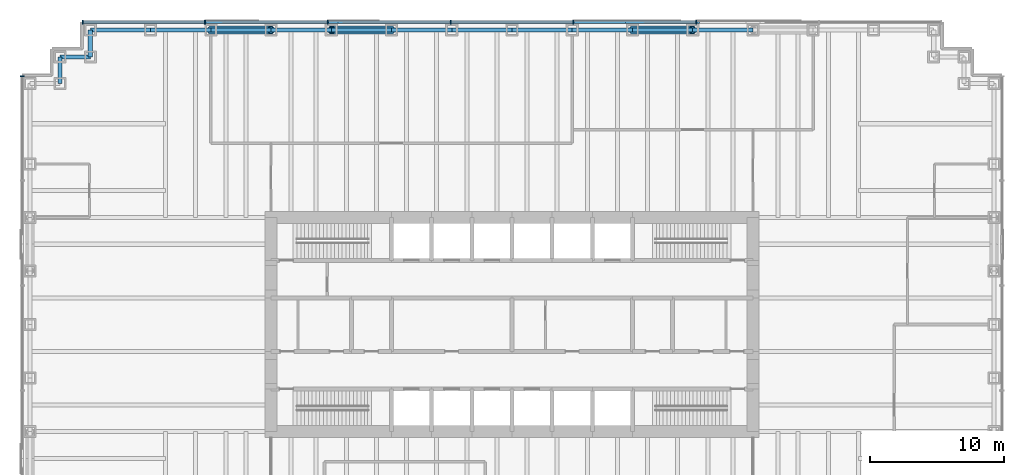
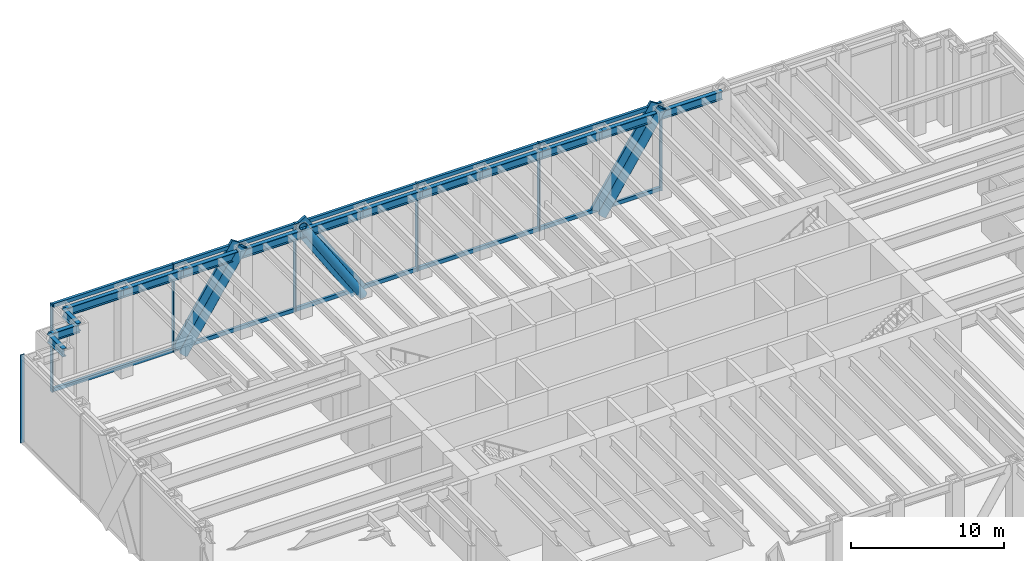
# One storey, part 9 of 17: 23 members, 14 beams, 2 elements without a shape of their own.
"""IFC4 building model written with IfcOpenShell, lengths in metres."""

from ifc_helpers import new_model, si_unit, direction, frame, origin, origin_2d, place, context, subcontext, project, spatial, rectangle, hollow_circle, i_section, extrude, material, material_profile, profile_set, type_object, element, aggregate, save


model = new_model("IFC4")

# Units and contexts
model_context = context("Model", 3, precision=1e-05, world=origin(), true_north=direction((0.0, 1.0)))
body_context = subcontext(model_context, "Body", "Model", "MODEL_VIEW")
ifc_project = project(units=[si_unit("LENGTHUNIT", "METRE"), si_unit("AREAUNIT", "SQUARE_METRE"), si_unit("VOLUMEUNIT", "CUBIC_METRE"), si_unit("PLANEANGLEUNIT", "RADIAN"), si_unit("MASSUNIT", "GRAM", prefix="KILO")], contexts=[model_context])

# Site, building, storey
site_placement = place(None, origin())
site = spatial("IfcSite", under=ifc_project, at=site_placement, CompositionType="ELEMENT")
building_placement = place(site_placement, origin())
building = spatial("IfcBuilding", under=site, at=building_placement, Name="Rheinbord Bourse Tower", CompositionType="ELEMENT")
storey_placement = place(building_placement, frame((0.0, 0.0, 6.0)))
storey = spatial("IfcBuildingStorey", under=building, at=storey_placement, Name="L01", CompositionType="ELEMENT", Elevation=6.0)

# Curtain wall, members
ifc_material_1 = material(Name="Dark glass and black aluminium", Category="aluminium")
curtain_wall_type = type_object("IfcCurtainWallType", Name="CW4 DARK GLASS CURTAIN WALL", PredefinedType="USERDEFINED", material=ifc_material_1)
curtain_wall_1_placement = place(storey_placement, origin())
curtain_wall_1 = element("IfcCurtainWall", 1, at=curtain_wall_1_placement, inside=storey, type_object=curtain_wall_type, Name="Curtain wall CW4 N L01", ObjectType="UNITISED CURTAIN WALL", PredefinedType="USERDEFINED")
ifc_material_2 = material(Name="Black anodised aluminium", Category="aluminium")
ifc_material_profile_1 = material_profile(ifc_material_2, rectangle(XDim=0.199951171875, YDim=1.2099609375, at=origin_2d()), Name="CW4 DIAGONAL MULLION 1210x200")
ifc_profile_set_1 = profile_set([ifc_material_profile_1], Name="Black anodised aluminium")
member_type_1 = type_object("IfcMemberType", Name="CW4 BLACK DIAGONAL MULLION", PredefinedType="USERDEFINED", material=ifc_profile_set_1)
member_1_placement = place(storey_placement, frame((13.5, 46.60009765625, 0.0), z_axis=(0.540757591313, 0.0, 0.841178475377), x_axis=(0.0, 1.0, 0.0)))
member_1 = element("IfcMember", 2, at=member_1_placement, type_object=member_type_1, Name="CW4 diagonal mullion a", ObjectType="DIAGONAL MULLION", PredefinedType="USERDEFINED", context=body_context, shape_type="SweptSolid", body=[
    extrude(rectangle(XDim=0.199951171875, YDim=1.2099609375, at=origin_2d()), origin(), (0.0, 0.0, 1.0), 8.32177734375),
])
member_2_placement = place(storey_placement, frame((45.0, 46.60009765625, 0.0), z_axis=(0.540757591313, 0.0, 0.841178475377), x_axis=(0.0, 1.0, 0.0)))
member_2 = element("IfcMember", 3, at=member_2_placement, type_object=member_type_1, Name="CW4 diagonal mullion c", ObjectType="DIAGONAL MULLION", PredefinedType="USERDEFINED", context=body_context, shape_type="SweptSolid", body=[
    extrude(rectangle(XDim=0.199951171875, YDim=1.2099609375, at=origin_2d()), origin(), (0.0, 0.0, 1.0), 8.32177734375),
])
member_3_placement = place(storey_placement, frame((27.0, 46.60009765625, 0.0), z_axis=(-0.540757591313, 0.0, 0.841178475377), x_axis=(0.0, -1.0, 0.0)))
member_3 = element("IfcMember", 4, at=member_3_placement, type_object=member_type_1, Name="CW4 diagonal mullion d", ObjectType="DIAGONAL MULLION", PredefinedType="USERDEFINED", context=body_context, shape_type="SweptSolid", body=[
    extrude(rectangle(XDim=0.199951171875, YDim=1.2099609375, at=origin_2d()), origin(), (0.0, 0.0, 1.0), 8.32177734375),
])
ifc_material_3 = material(Name="Black anodised aluminium", Category="aluminium")
ifc_material_profile_2 = material_profile(ifc_material_3, rectangle(XDim=0.300048828125, YDim=0.090087890625, at=origin_2d()), Name="CW4 MULLION 90x300")
ifc_profile_set_2 = profile_set([ifc_material_profile_2], Name="Black anodised aluminium")
member_type_2 = type_object("IfcMemberType", Name="CW4 BLACK MULLION", PredefinedType="MULLION", material=ifc_profile_set_2)
member_4_placement = place(storey_placement, frame((49.757080078125, 46.60009765625, 0.0), z_axis=(0.0, 0.0, 1.0), x_axis=(0.0, -1.0, 0.0)))
member_4 = element("IfcMember", 5, at=member_4_placement, type_object=member_type_2, Name="CW4 mullion 3", PredefinedType="MULLION", context=body_context, shape_type="SweptSolid", body=[
    extrude(rectangle(XDim=0.300048828125, YDim=0.090087890625, at=origin_2d()), origin(), (0.0, 0.0, 1.0), 7.0),
])
member_5_placement = place(storey_placement, frame((40.585693359375, 46.60009765625, 0.0), z_axis=(0.0, 0.0, 1.0), x_axis=(0.0, -1.0, 0.0)))
member_5 = element("IfcMember", 6, at=member_5_placement, type_object=member_type_2, Name="CW4 mullion 4", PredefinedType="MULLION", context=body_context, shape_type="SweptSolid", body=[
    extrude(rectangle(XDim=0.300048828125, YDim=0.090087890625, at=origin_2d()), origin(), (0.0, 0.0, 1.0), 7.0),
])
member_6_placement = place(storey_placement, frame((31.414306640625, 46.60009765625, 0.0), z_axis=(0.0, 0.0, 1.0), x_axis=(0.0, -1.0, 0.0)))
member_6 = element("IfcMember", 7, at=member_6_placement, type_object=member_type_2, Name="CW4 mullion 5", PredefinedType="MULLION", context=body_context, shape_type="SweptSolid", body=[
    extrude(rectangle(XDim=0.300048828125, YDim=0.090087890625, at=origin_2d()), origin(), (0.0, 0.0, 1.0), 7.0),
])
member_7_placement = place(storey_placement, frame((22.242919921875, 46.60009765625, 0.0), z_axis=(0.0, 0.0, 1.0), x_axis=(0.0, -1.0, 0.0)))
member_7 = element("IfcMember", 8, at=member_7_placement, type_object=member_type_2, Name="CW4 mullion 6", PredefinedType="MULLION", context=body_context, shape_type="SweptSolid", body=[
    extrude(rectangle(XDim=0.300048828125, YDim=0.090087890625, at=origin_2d()), origin(), (0.0, 0.0, 1.0), 7.0),
])
member_8_placement = place(storey_placement, frame((13.071533203125, 46.60009765625, 0.0), z_axis=(0.0, 0.0, 1.0), x_axis=(0.0, -1.0, 0.0)))
member_8 = element("IfcMember", 9, at=member_8_placement, type_object=member_type_2, Name="CW4 mullion 7", PredefinedType="MULLION", context=body_context, shape_type="SweptSolid", body=[
    extrude(rectangle(XDim=0.300048828125, YDim=0.090087890625, at=origin_2d()), origin(), (0.0, 0.0, 1.0), 7.0),
])
member_9_placement = place(storey_placement, frame((3.945068359375, 46.60009765625, 0.0), z_axis=(0.0, 0.0, 1.0), x_axis=(0.0, -1.0, 0.0)))
member_9 = element("IfcMember", 10, at=member_9_placement, type_object=member_type_2, Name="CW4 mullion 8", PredefinedType="MULLION", context=body_context, shape_type="SweptSolid", body=[
    extrude(rectangle(XDim=0.300048828125, YDim=0.090087890625, at=origin_2d()), origin(), (0.0, 0.0, 1.0), 7.0),
])

# Curtain wall, member
curtain_wall_2_placement = place(storey_placement, origin())
curtain_wall_2 = element("IfcCurtainWall", 11, at=curtain_wall_2_placement, inside=storey, type_object=curtain_wall_type, Name="Curtain wall CW4 W L01", ObjectType="UNITISED CURTAIN WALL", PredefinedType="USERDEFINED")
member_10_placement = place(storey_placement, frame((-0.60009765625, 42.554931640625, 0.0), z_axis=(0.0, 0.0, 1.0), x_axis=(1.0, 0.0, 0.0)))
member_10 = element("IfcMember", 12, at=member_10_placement, type_object=member_type_2, Name="CW4 mullion 1", PredefinedType="MULLION", context=body_context, shape_type="SweptSolid", body=[
    extrude(rectangle(XDim=0.300048828125, YDim=0.090087890625, at=origin_2d()), origin(), (0.0, 0.0, 1.0), 7.0),
])
aggregate(curtain_wall_2, [member_10])

# Member
ifc_material_4 = material(Name="Black anodised aluminium", Category="aluminium")
ifc_material_profile_3 = material_profile(ifc_material_4, rectangle(XDim=0.199951171875, YDim=0.300048828125, at=origin_2d()), Name="CW4 TRANSOM 300x200")
ifc_profile_set_3 = profile_set([ifc_material_profile_3], Name="Black anodised aluminium")
member_type_3 = type_object("IfcMemberType", Name="CW4 BLACK TRANSOM", PredefinedType="USERDEFINED", material=ifc_profile_set_3)
member_11_placement = place(storey_placement, frame((49.712158203125, 46.60009765625, 0.14990234375), z_axis=(-1.0, 0.0, 0.0), x_axis=(0.0, -1.0, 0.0)))
member_11 = element("IfcMember", 13, at=member_11_placement, type_object=member_type_3, Name="CW4 transom 3.1", ObjectType="TRANSOM", PredefinedType="USERDEFINED", context=body_context, shape_type="SweptSolid", body=[
    extrude(rectangle(XDim=0.199951171875, YDim=0.300048828125, at=origin_2d()), origin(), (0.0, 0.0, 1.0), 9.08154296875),
])

member_12_placement = place(storey_placement, frame((49.712158203125, 46.60009765625, 6.85009765625), z_axis=(-1.0, 0.0, 0.0), x_axis=(0.0, -1.0, 0.0)))
member_12 = element("IfcMember", 14, at=member_12_placement, type_object=member_type_3, Name="CW4 transom 3.2", ObjectType="TRANSOM", PredefinedType="USERDEFINED", context=body_context, shape_type="SweptSolid", body=[
    extrude(rectangle(XDim=0.199951171875, YDim=0.300048828125, at=origin_2d()), origin(), (0.0, 0.0, 1.0), 9.08154296875),
])

member_13_placement = place(storey_placement, frame((40.540771484375, 46.60009765625, 0.14990234375), z_axis=(-1.0, 0.0, 0.0), x_axis=(0.0, -1.0, 0.0)))
member_13 = element("IfcMember", 15, at=member_13_placement, type_object=member_type_3, Name="CW4 transom 4.1", ObjectType="TRANSOM", PredefinedType="USERDEFINED", context=body_context, shape_type="SweptSolid", body=[
    extrude(rectangle(XDim=0.199951171875, YDim=0.300048828125, at=origin_2d()), origin(), (0.0, 0.0, 1.0), 9.08154296875),
])

member_14_placement = place(storey_placement, frame((40.540771484375, 46.60009765625, 6.85009765625), z_axis=(-1.0, 0.0, 0.0), x_axis=(0.0, -1.0, 0.0)))
member_14 = element("IfcMember", 16, at=member_14_placement, type_object=member_type_3, Name="CW4 transom 4.2", ObjectType="TRANSOM", PredefinedType="USERDEFINED", context=body_context, shape_type="SweptSolid", body=[
    extrude(rectangle(XDim=0.199951171875, YDim=0.300048828125, at=origin_2d()), origin(), (0.0, 0.0, 1.0), 9.08154296875),
])

member_15_placement = place(storey_placement, frame((31.369384765625, 46.60009765625, 0.14990234375), z_axis=(-1.0, 0.0, 0.0), x_axis=(0.0, -1.0, 0.0)))
member_15 = element("IfcMember", 17, at=member_15_placement, type_object=member_type_3, Name="CW4 transom 5.1", ObjectType="TRANSOM", PredefinedType="USERDEFINED", context=body_context, shape_type="SweptSolid", body=[
    extrude(rectangle(XDim=0.199951171875, YDim=0.300048828125, at=origin_2d()), origin(), (0.0, 0.0, 1.0), 9.08154296875),
])

member_16_placement = place(storey_placement, frame((31.369384765625, 46.60009765625, 6.85009765625), z_axis=(-1.0, 0.0, 0.0), x_axis=(0.0, -1.0, 0.0)))
member_16 = element("IfcMember", 18, at=member_16_placement, type_object=member_type_3, Name="CW4 transom 5.2", ObjectType="TRANSOM", PredefinedType="USERDEFINED", context=body_context, shape_type="SweptSolid", body=[
    extrude(rectangle(XDim=0.199951171875, YDim=0.300048828125, at=origin_2d()), origin(), (0.0, 0.0, 1.0), 9.08154296875),
])

member_17_placement = place(storey_placement, frame((22.19775390625, 46.60009765625, 0.14990234375), z_axis=(-1.0, 0.0, 0.0), x_axis=(0.0, -1.0, 0.0)))
member_17 = element("IfcMember", 19, at=member_17_placement, type_object=member_type_3, Name="CW4 transom 6.1", ObjectType="TRANSOM", PredefinedType="USERDEFINED", context=body_context, shape_type="SweptSolid", body=[
    extrude(rectangle(XDim=0.199951171875, YDim=0.300048828125, at=origin_2d()), origin(), (0.0, 0.0, 1.0), 9.081298828125),
])

member_18_placement = place(storey_placement, frame((22.19775390625, 46.60009765625, 6.85009765625), z_axis=(-1.0, 0.0, 0.0), x_axis=(0.0, -1.0, 0.0)))
member_18 = element("IfcMember", 20, at=member_18_placement, type_object=member_type_3, Name="CW4 transom 6.2", ObjectType="TRANSOM", PredefinedType="USERDEFINED", context=body_context, shape_type="SweptSolid", body=[
    extrude(rectangle(XDim=0.199951171875, YDim=0.300048828125, at=origin_2d()), origin(), (0.0, 0.0, 1.0), 9.081298828125),
])

member_19_placement = place(storey_placement, frame((13.0263671875, 46.60009765625, 0.14990234375), z_axis=(-1.0, 0.0, 0.0), x_axis=(0.0, -1.0, 0.0)))
member_19 = element("IfcMember", 21, at=member_19_placement, type_object=member_type_3, Name="CW4 transom 7.1", ObjectType="TRANSOM", PredefinedType="USERDEFINED", context=body_context, shape_type="SweptSolid", body=[
    extrude(rectangle(XDim=0.199951171875, YDim=0.300048828125, at=origin_2d()), origin(), (0.0, 0.0, 1.0), 9.036376953125),
])

member_20_placement = place(storey_placement, frame((13.0263671875, 46.60009765625, 6.85009765625), z_axis=(-1.0, 0.0, 0.0), x_axis=(0.0, -1.0, 0.0)))
member_20 = element("IfcMember", 22, at=member_20_placement, type_object=member_type_3, Name="CW4 transom 7.2", ObjectType="TRANSOM", PredefinedType="USERDEFINED", context=body_context, shape_type="SweptSolid", body=[
    extrude(rectangle(XDim=0.199951171875, YDim=0.300048828125, at=origin_2d()), origin(), (0.0, 0.0, 1.0), 9.036376953125),
])

aggregate(curtain_wall_1, [member_4, member_5, member_6, member_7, member_8, member_9, member_11, member_12, member_13, member_14, member_15, member_16, member_17, member_18, member_19, member_20, member_1, member_2, member_3])

# Members
ifc_material_5 = material(Name="Steel S460", Category="steel")
ifc_material_profile_4 = material_profile(ifc_material_5, hollow_circle(Radius=0.304931640625, WallThickness=0.050048828125, at=origin_2d()), Name="CHS 610x50")
ifc_profile_set_4 = profile_set([ifc_material_profile_4], Name="Steel S460")
member_type_4 = type_object("IfcMemberType", Name="MEGABRACE CHS 610x50", PredefinedType="BRACE", material=ifc_profile_set_4)
for number, where, z_axis, x_axis, name in (
    (23, (13.5, 46.0, 0.0), (0.540757591313, 0.0, 0.841178475377), (0.0, 1.0, 0.0), "Megabrace N face line a L01"),
    (24, (45.0, 46.0, 0.0), (0.540757591313, 0.0, 0.841178475377), (0.0, 1.0, 0.0), "Megabrace N face line c L01"),
    (25, (27.0, 46.0, 0.0), (-0.540757591313, 0.0, 0.841178475377), (0.0, -1.0, 0.0), "Megabrace N face line d L01"),
):
    element("IfcMember", number, at=place(storey_placement, frame(where, z_axis=z_axis, x_axis=x_axis)), inside=storey, type_object=member_type_4, Name=name, PredefinedType="BRACE", context=body_context, shape_type="SweptSolid", body=[
        extrude(hollow_circle(Radius=0.304931640625, WallThickness=0.050048828125, at=origin_2d()), origin(), (0.0, 0.0, 1.0), 8.32177734375),
    ])

# Beams
ifc_material_6 = material(Name="Steel S460", Category="steel")
ifc_material_profile_5 = material_profile(ifc_material_6, i_section(OverallWidth=0.304931640625, OverallDepth=0.66796875, WebThickness=0.02099609375, FlangeThickness=0.0400390625, at=origin_2d()), Name="HEM 650")
ifc_profile_set_5 = profile_set([ifc_material_profile_5], Name="Steel S460")
beam_type = type_object("IfcBeamType", Name="SPANDREL HEM 650", PredefinedType="SPANDREL", material=ifc_profile_set_5)
for number, where, z_axis, x_axis, name in (
    (26, (54.0, 46.0, 6.486083984375), (-1.0, 0.0, 0.0), (0.0, -1.0, 0.0), "Spandrel N-54-N-49.5 under L02"),
    (27, (49.5, 46.0, 6.486083984375), (-1.0, 0.0, 0.0), (0.0, -1.0, 0.0), "Spandrel N-49.5-N-45 under L02"),
    (28, (45.0, 46.0, 6.486083984375), (-1.0, 0.0, 0.0), (0.0, -1.0, 0.0), "Spandrel N-45-N-40.5 under L02"),
    (29, (40.5, 46.0, 6.486083984375), (-1.0, 0.0, 0.0), (0.0, -1.0, 0.0), "Spandrel N-40.5-N-36 under L02"),
    (30, (36.0, 46.0, 6.486083984375), (-1.0, 0.0, 0.0), (0.0, -1.0, 0.0), "Spandrel N-36-N-31.5 under L02"),
    (31, (31.5, 46.0, 6.486083984375), (-1.0, 0.0, 0.0), (0.0, -1.0, 0.0), "Spandrel N-31.5-N-27 under L02"),
    (32, (27.0, 46.0, 6.486083984375), (-1.0, 0.0, 0.0), (0.0, -1.0, 0.0), "Spandrel N-27-N-22.5 under L02"),
    (33, (22.5, 46.0, 6.486083984375), (-1.0, 0.0, 0.0), (0.0, -1.0, 0.0), "Spandrel N-22.5-N-18 under L02"),
    (34, (18.0, 46.0, 6.486083984375), (-1.0, 0.0, 0.0), (0.0, -1.0, 0.0), "Spandrel N-18-N-13.5 under L02"),
    (35, (13.5, 46.0, 6.486083984375), (-1.0, 0.0, 0.0), (0.0, -1.0, 0.0), "Spandrel N-13.5-N-9 under L02"),
    (36, (9.0, 46.0, 6.486083984375), (-1.0, 0.0, 0.0), (0.0, -1.0, 0.0), "Spandrel N-9-NW-E under L02"),
):
    element("IfcBeam", number, at=place(storey_placement, frame(where, z_axis=z_axis, x_axis=x_axis)), inside=storey, type_object=beam_type, Name=name, PredefinedType="SPANDREL", context=body_context, shape_type="SweptSolid", body=[
        extrude(i_section(OverallWidth=0.304931640625, OverallDepth=0.66796875, WebThickness=0.02099609375, FlangeThickness=0.0400390625, at=origin_2d()), origin(), (0.0, 0.0, 1.0), 4.5),
    ])
beam_1_placement = place(storey_placement, frame((4.5, 46.0, 6.486083984375), z_axis=(0.0, -1.0, 0.0), x_axis=(1.0, 0.0, 0.0)))
element("IfcBeam", 37, at=beam_1_placement, inside=storey, type_object=beam_type, Name="Spandrel NW-E-NW-D under L02", PredefinedType="SPANDREL", context=body_context, shape_type="SweptSolid", body=[
    extrude(i_section(OverallWidth=0.304931640625, OverallDepth=0.66796875, WebThickness=0.02099609375, FlangeThickness=0.0400390625, at=origin_2d()), origin(), (0.0, 0.0, 1.0), 2.0),
])
beam_2_placement = place(storey_placement, frame((4.5, 44.0, 6.486083984375), z_axis=(-1.0, 0.0, 0.0), x_axis=(0.0, -1.0, 0.0)))
element("IfcBeam", 38, at=beam_2_placement, inside=storey, type_object=beam_type, Name="Spandrel NW-D-NW-C under L02", PredefinedType="SPANDREL", context=body_context, shape_type="SweptSolid", body=[
    extrude(i_section(OverallWidth=0.304931640625, OverallDepth=0.66796875, WebThickness=0.02099609375, FlangeThickness=0.0400390625, at=origin_2d()), origin(), (0.0, 0.0, 1.0), 2.25),
])
beam_3_placement = place(storey_placement, frame((2.25, 44.0, 6.486083984375), z_axis=(0.0, -1.0, 0.0), x_axis=(1.0, 0.0, 0.0)))
element("IfcBeam", 39, at=beam_3_placement, inside=storey, type_object=beam_type, Name="Spandrel NW-C-NW-B under L02", PredefinedType="SPANDREL", context=body_context, shape_type="SweptSolid", body=[
    extrude(i_section(OverallWidth=0.304931640625, OverallDepth=0.66796875, WebThickness=0.02099609375, FlangeThickness=0.0400390625, at=origin_2d()), origin(), (0.0, 0.0, 1.0), 2.0),
])

save(model, "model.ifc")
